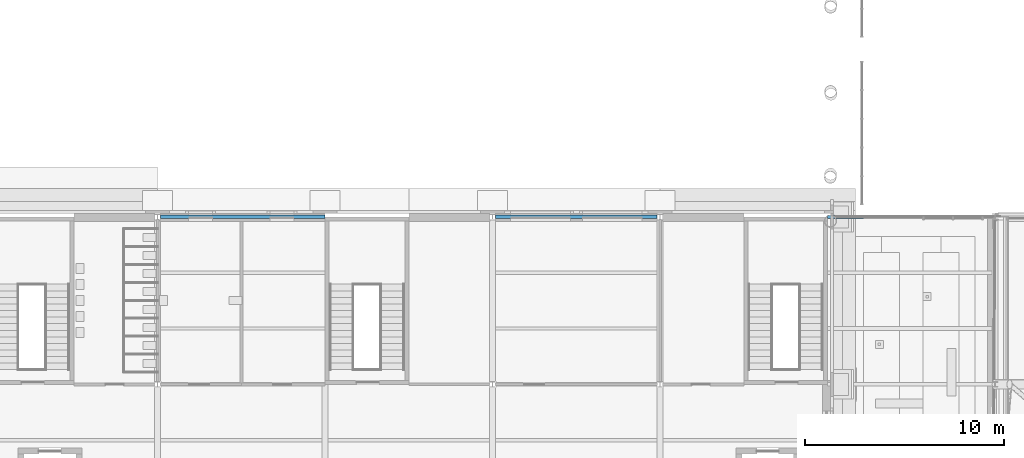
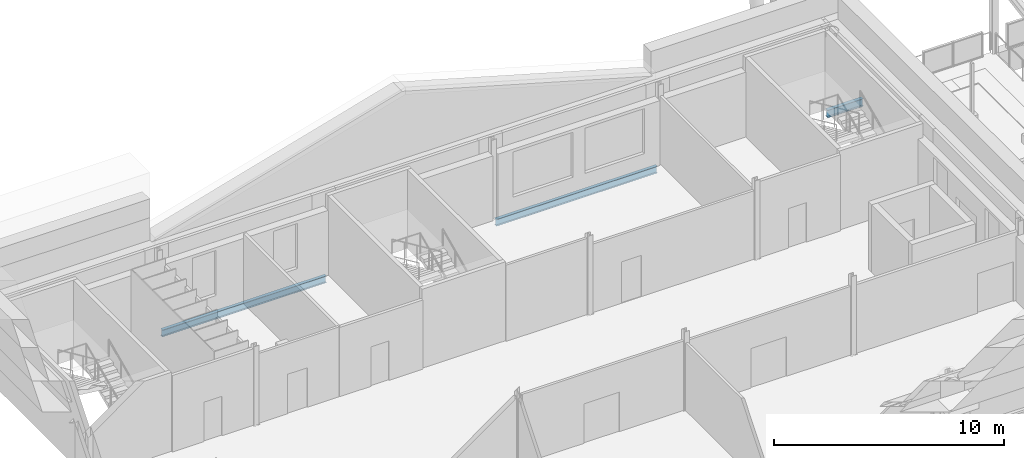
# One storey, part 18 of 76: 3 beams.
"""IFC4 building model written with IfcOpenShell, lengths in metres."""

from ifc_helpers import new_model, si_unit, direction, frame, origin, origin_2d, place, context, subcontext, project, spatial, i_section, extrude, material, material_profile, profile_set, type_object, element, save


model = new_model("IFC4")

# Units and contexts
model_context = context("Model", 3, precision=1e-05, world=origin(), true_north=direction((0.0, 1.0)))
body_context = subcontext(model_context, "Body", "Model", "MODEL_VIEW")
ifc_project = project(units=[si_unit("LENGTHUNIT", "METRE"), si_unit("AREAUNIT", "SQUARE_METRE"), si_unit("VOLUMEUNIT", "CUBIC_METRE"), si_unit("PLANEANGLEUNIT", "RADIAN"), si_unit("MASSUNIT", "GRAM", prefix="KILO")], contexts=[model_context])

# Site, building, storey
site_placement = place(None, origin())
site = spatial("IfcSite", under=ifc_project, at=site_placement, CompositionType="ELEMENT")
building_placement = place(site_placement, origin())
building = spatial("IfcBuilding", under=site, at=building_placement, Name="Sava Quay Ferry Terminal", CompositionType="ELEMENT")
storey_placement = place(building_placement, frame((0.0, 0.0, 10.800048828125)))
storey = spatial("IfcBuildingStorey", under=building, at=storey_placement, Name="L02", CompositionType="ELEMENT", Elevation=10.800048828125)

# Beams
ifc_material_1 = material(Name="Steel S355", Category="steel")
ifc_material_profile_1 = material_profile(ifc_material_1, i_section(OverallWidth=0.169921875, OverallDepth=0.360107421875, WebThickness=0.008056640625, FlangeThickness=0.0126953125, at=origin_2d()), Name="IPE 360")
ifc_profile_set_1 = profile_set([ifc_material_profile_1], Name="Steel S355")
beam_type_1 = type_object("IfcBeamType", Name="Beam IPE 360", PredefinedType="BEAM", material=ifc_profile_set_1)
beam_1_placement = place(storey_placement, frame((8.550048828125, 50.39990234375, -0.31005859375), z_axis=(1.0, 0.0, 0.0), x_axis=(0.0, 1.0, 0.0)))
element("IfcBeam", 1, at=beam_1_placement, inside=storey, type_object=beam_type_1, Name="Beam L02", PredefinedType="BEAM", context=body_context, shape_type="SweptSolid", body=[
    extrude(i_section(OverallWidth=0.169921875, OverallDepth=0.360107421875, WebThickness=0.008056640625, FlangeThickness=0.0126953125, at=origin_2d()), origin(), (0.0, 0.0, 1.0), 8.25),
])
beam_2_placement = place(storey_placement, frame((25.35009765625, 50.39990234375, -0.31005859375), z_axis=(1.0, 0.0, 0.0), x_axis=(0.0, 1.0, 0.0)))
element("IfcBeam", 2, at=beam_2_placement, inside=storey, type_object=beam_type_1, Name="Beam L02", PredefinedType="BEAM", context=body_context, shape_type="SweptSolid", body=[
    extrude(i_section(OverallWidth=0.169921875, OverallDepth=0.360107421875, WebThickness=0.008056640625, FlangeThickness=0.0126953125, at=origin_2d()), origin(), (0.0, 0.0, 1.0), 8.099853515625),
])
ifc_material_2 = material(Name="Steel S355", Category="steel")
ifc_material_profile_2 = material_profile(ifc_material_2, i_section(OverallWidth=0.179931640625, OverallDepth=0.39990234375, WebThickness=0.008544921875, FlangeThickness=0.013427734375, at=origin_2d()), Name="IPE 400")
ifc_profile_set_2 = profile_set([ifc_material_profile_2], Name="Steel S355")
beam_type_2 = type_object("IfcBeamType", Name="Beam IPE 400", PredefinedType="BEAM", material=ifc_profile_set_2)
beam_3_placement = place(storey_placement, frame((42.0, 50.39990234375, -0.35009765625), z_axis=(1.0, 0.0, 0.0), x_axis=(0.0, 1.0, 0.0)))
element("IfcBeam", 3, at=beam_3_placement, inside=storey, type_object=beam_type_2, Name="Beam L02", PredefinedType="BEAM", context=body_context, shape_type="SweptSolid", body=[
    extrude(i_section(OverallWidth=0.179931640625, OverallDepth=0.39990234375, WebThickness=0.008544921875, FlangeThickness=0.013427734375, at=origin_2d()), origin(), (0.0, 0.0, 1.0), 1.800048828125),
])

save(model, "model.ifc")
